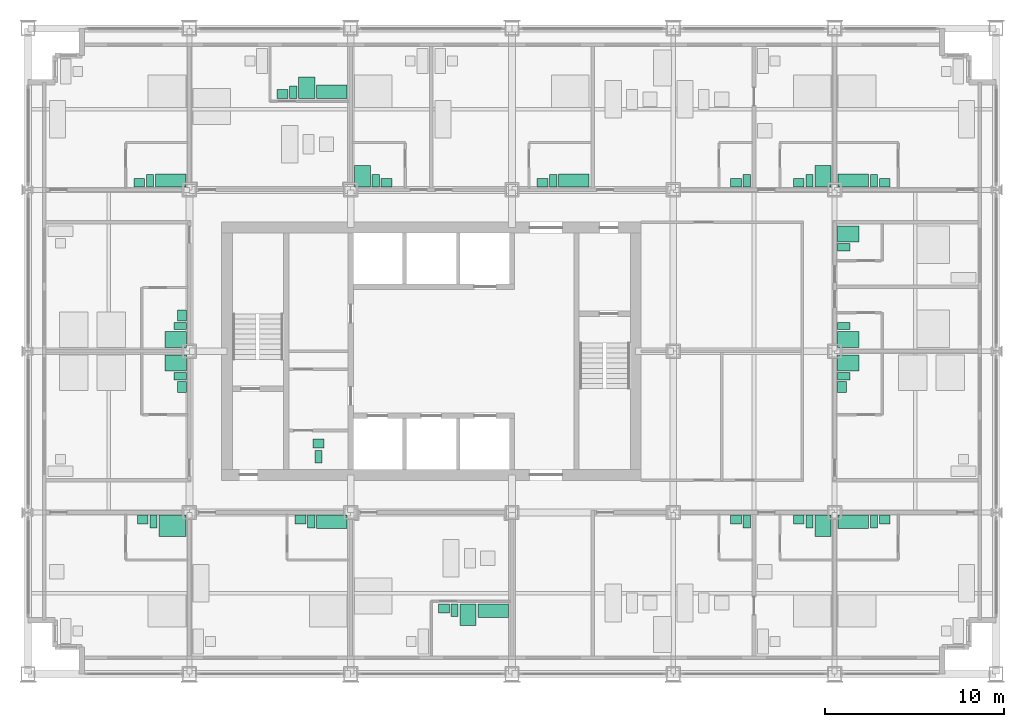
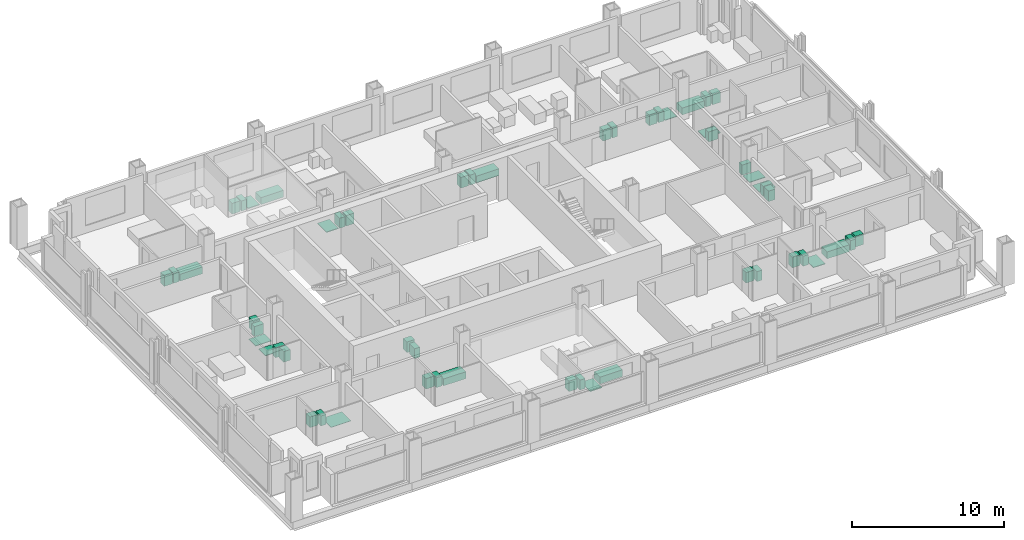
# One storey, part 17 of 18: 54 sanitary terminals.
"""IFC4 building model written with IfcOpenShell, lengths in metres."""

from ifc_helpers import new_model, si_unit, direction, frame, origin, origin_2d, place, context, subcontext, project, spatial, rectangle, extrude, element, save


model = new_model("IFC4")

# Units and contexts
model_context = context("Model", 3, precision=1e-05, world=origin(), true_north=direction((0.0, 1.0)))
body_context = subcontext(model_context, "Body", "Model", "MODEL_VIEW")
ifc_project = project(units=[si_unit("LENGTHUNIT", "METRE"), si_unit("AREAUNIT", "SQUARE_METRE"), si_unit("VOLUMEUNIT", "CUBIC_METRE"), si_unit("PLANEANGLEUNIT", "RADIAN"), si_unit("MASSUNIT", "GRAM", prefix="KILO")], contexts=[model_context])

# Site, building, storey
site_placement = place(None, origin())
site = spatial("IfcSite", under=ifc_project, at=site_placement, CompositionType="ELEMENT")
building_placement = place(site_placement, origin())
building = spatial("IfcBuilding", under=site, at=building_placement, Name="Loomwork Tower", CompositionType="ELEMENT")
storey_placement = place(building_placement, frame((0.0, 0.0, 75.60009765625)))
storey = spatial("IfcBuildingStorey", under=building, at=storey_placement, Name="L19", CompositionType="ELEMENT", Elevation=75.60009765625)

# Sanitary terminals
sanitary_terminal_1_placement = place(storey_placement, frame((8.050048828125, 8.25, 0.0), z_axis=(0.0, 0.0, 1.0), x_axis=(1.0, 0.0, 0.0)))
element("IfcSanitaryTerminal", 1, at=sanitary_terminal_1_placement, inside=storey, Name="Roll-in shower floor L19", PredefinedType="SHOWER", context=body_context, shape_type="SweptSolid", body=[
    extrude(rectangle(XDim=1.5, YDim=1.199951171875, at=origin_2d()), origin(), (0.0, 0.0, 1.0), 0.030029296875),
])
sanitary_terminal_2_placement = place(storey_placement, frame((7.0, 8.5, 0.0), z_axis=(0.0, 0.0, 1.0), x_axis=(1.0, 0.0, 0.0)))
element("IfcSanitaryTerminal", 2, at=sanitary_terminal_2_placement, inside=storey, Name="WC L19", PredefinedType="TOILETPAN", context=body_context, shape_type="SweptSolid", body=[
    extrude(rectangle(XDim=0.39990234375, YDim=0.699951171875, at=origin_2d()), origin(), (0.0, 0.0, 1.0), 0.800048828125),
])
sanitary_terminal_3_placement = place(storey_placement, frame((6.39990234375, 8.60009765625, -0.000244140625), z_axis=(0.0, 0.0, 1.0), x_axis=(1.0, 0.0, 0.0)))
element("IfcSanitaryTerminal", 3, at=sanitary_terminal_3_placement, inside=storey, Name="Basin vanity L19", PredefinedType="WASHHANDBASIN", context=body_context, shape_type="SweptSolid", body=[
    extrude(rectangle(XDim=0.60009765625, YDim=0.5, at=origin_2d()), origin(), (0.0, 0.0, 1.0), 0.85009765625),
])
sanitary_terminal_4_placement = place(storey_placement, frame((16.949951171875, 8.47509765625, 0.0), z_axis=(0.0, 0.0, 1.0), x_axis=(1.0, 0.0, 0.0)))
element("IfcSanitaryTerminal", 4, at=sanitary_terminal_4_placement, inside=storey, Name="Bath L19", PredefinedType="BATH", context=body_context, shape_type="SweptSolid", body=[
    extrude(rectangle(XDim=1.699951171875, YDim=0.75, at=origin_2d()), origin(), (0.0, 0.0, 1.0), 0.550048828125),
])
sanitary_terminal_5_placement = place(storey_placement, frame((15.800048828125, 8.5, 0.0), z_axis=(0.0, 0.0, 1.0), x_axis=(1.0, 0.0, 0.0)))
element("IfcSanitaryTerminal", 5, at=sanitary_terminal_5_placement, inside=storey, Name="WC L19", PredefinedType="TOILETPAN", context=body_context, shape_type="SweptSolid", body=[
    extrude(rectangle(XDim=0.39990234375, YDim=0.699951171875, at=origin_2d()), origin(), (0.0, 0.0, 1.0), 0.800048828125),
])
sanitary_terminal_6_placement = place(storey_placement, frame((15.199951171875, 8.60009765625, -0.000244140625), z_axis=(0.0, 0.0, 1.0), x_axis=(1.0, 0.0, 0.0)))
element("IfcSanitaryTerminal", 6, at=sanitary_terminal_6_placement, inside=storey, Name="Basin vanity L19", PredefinedType="WASHHANDBASIN", context=body_context, shape_type="SweptSolid", body=[
    extrude(rectangle(XDim=0.60009765625, YDim=0.5, at=origin_2d()), origin(), (0.0, 0.0, 1.0), 0.85009765625),
])
sanitary_terminal_7_placement = place(storey_placement, frame((25.949951171875, 3.52490234375, 0.0), z_axis=(0.0, 0.0, 1.0), x_axis=(1.0, 0.0, 0.0)))
element("IfcSanitaryTerminal", 7, at=sanitary_terminal_7_placement, inside=storey, Name="Bath L19", PredefinedType="BATH", context=body_context, shape_type="SweptSolid", body=[
    extrude(rectangle(XDim=1.699951171875, YDim=0.75, at=origin_2d()), origin(), (0.0, 0.0, 1.0), 0.550048828125),
])
sanitary_terminal_8_placement = place(storey_placement, frame((24.550048828125, 3.300048828125, 0.0), z_axis=(0.0, 0.0, 1.0), x_axis=(1.0, 0.0, 0.0)))
element("IfcSanitaryTerminal", 8, at=sanitary_terminal_8_placement, inside=storey, Name="Shower tray L19", PredefinedType="SHOWER", context=body_context, shape_type="SweptSolid", body=[
    extrude(rectangle(XDim=0.89990234375, YDim=1.199951171875, at=origin_2d()), origin(), (0.0, 0.0, 1.0), 0.050048828125),
])
sanitary_terminal_9_placement = place(storey_placement, frame((23.800048828125, 3.550048828125, 0.0), z_axis=(0.0, 0.0, 1.0), x_axis=(1.0, 0.0, 0.0)))
element("IfcSanitaryTerminal", 9, at=sanitary_terminal_9_placement, inside=storey, Name="WC L19", PredefinedType="TOILETPAN", context=body_context, shape_type="SweptSolid", body=[
    extrude(rectangle(XDim=0.39990234375, YDim=0.699951171875, at=origin_2d()), origin(), (0.0, 0.0, 1.0), 0.800048828125),
])
sanitary_terminal_10_placement = place(storey_placement, frame((23.199951171875, 3.64990234375, -0.000244140625), z_axis=(0.0, 0.0, 1.0), x_axis=(1.0, 0.0, 0.0)))
element("IfcSanitaryTerminal", 10, at=sanitary_terminal_10_placement, inside=storey, Name="Basin vanity L19", PredefinedType="WASHHANDBASIN", context=body_context, shape_type="SweptSolid", body=[
    extrude(rectangle(XDim=0.60009765625, YDim=0.5, at=origin_2d()), origin(), (0.0, 0.0, 1.0), 0.85009765625),
])
sanitary_terminal_11_placement = place(storey_placement, frame((40.10009765625, 8.5, 0.0), z_axis=(0.0, 0.0, 1.0), x_axis=(1.0, 0.0, 0.0)))
element("IfcSanitaryTerminal", 11, at=sanitary_terminal_11_placement, inside=storey, Name="WC L19", PredefinedType="TOILETPAN", context=body_context, shape_type="SweptSolid", body=[
    extrude(rectangle(XDim=0.39990234375, YDim=0.699951171875, at=origin_2d()), origin(), (0.0, 0.0, 1.0), 0.800048828125),
])
sanitary_terminal_12_placement = place(storey_placement, frame((39.5, 8.60009765625, -0.000244140625), z_axis=(0.0, 0.0, 1.0), x_axis=(1.0, 0.0, 0.0)))
element("IfcSanitaryTerminal", 12, at=sanitary_terminal_12_placement, inside=storey, Name="Basin vanity L19", PredefinedType="WASHHANDBASIN", context=body_context, shape_type="SweptSolid", body=[
    extrude(rectangle(XDim=0.60009765625, YDim=0.5, at=origin_2d()), origin(), (0.0, 0.0, 1.0), 0.85009765625),
])
sanitary_terminal_13_placement = place(storey_placement, frame((44.35009765625, 8.25, 0.0), z_axis=(0.0, 0.0, 1.0), x_axis=(1.0, 0.0, 0.0)))
element("IfcSanitaryTerminal", 13, at=sanitary_terminal_13_placement, inside=storey, Name="Shower tray L19", PredefinedType="SHOWER", context=body_context, shape_type="SweptSolid", body=[
    extrude(rectangle(XDim=0.89990234375, YDim=1.199951171875, at=origin_2d()), origin(), (0.0, 0.0, 1.0), 0.050048828125),
])
sanitary_terminal_14_placement = place(storey_placement, frame((43.60009765625, 8.5, 0.0), z_axis=(0.0, 0.0, 1.0), x_axis=(1.0, 0.0, 0.0)))
element("IfcSanitaryTerminal", 14, at=sanitary_terminal_14_placement, inside=storey, Name="WC L19", PredefinedType="TOILETPAN", context=body_context, shape_type="SweptSolid", body=[
    extrude(rectangle(XDim=0.39990234375, YDim=0.699951171875, at=origin_2d()), origin(), (0.0, 0.0, 1.0), 0.800048828125),
])
sanitary_terminal_15_placement = place(storey_placement, frame((43.0, 8.60009765625, -0.000244140625), z_axis=(0.0, 0.0, 1.0), x_axis=(1.0, 0.0, 0.0)))
element("IfcSanitaryTerminal", 15, at=sanitary_terminal_15_placement, inside=storey, Name="Basin vanity L19", PredefinedType="WASHHANDBASIN", context=body_context, shape_type="SweptSolid", body=[
    extrude(rectangle(XDim=0.60009765625, YDim=0.5, at=origin_2d()), origin(), (0.0, 0.0, 1.0), 0.85009765625),
])
sanitary_terminal_16_placement = place(storey_placement, frame((46.050048828125, 8.47509765625, 0.0), z_axis=(0.0, 0.0, 1.0), x_axis=(1.0, 0.0, 0.0)))
element("IfcSanitaryTerminal", 16, at=sanitary_terminal_16_placement, inside=storey, Name="Bath L19", PredefinedType="BATH", context=body_context, shape_type="SweptSolid", body=[
    extrude(rectangle(XDim=1.699951171875, YDim=0.75, at=origin_2d()), origin(), (0.0, 0.0, 1.0), 0.550048828125),
])
sanitary_terminal_17_placement = place(storey_placement, frame((47.199951171875, 8.5, 0.0), z_axis=(0.0, 0.0, 1.0), x_axis=(1.0, 0.0, 0.0)))
element("IfcSanitaryTerminal", 17, at=sanitary_terminal_17_placement, inside=storey, Name="WC L19", PredefinedType="TOILETPAN", context=body_context, shape_type="SweptSolid", body=[
    extrude(rectangle(XDim=0.39990234375, YDim=0.699951171875, at=origin_2d()), origin(), (0.0, 0.0, 1.0), 0.800048828125),
])
sanitary_terminal_18_placement = place(storey_placement, frame((47.800048828125, 8.60009765625, -0.000244140625), z_axis=(0.0, 0.0, 1.0), x_axis=(1.0, 0.0, 0.0)))
element("IfcSanitaryTerminal", 18, at=sanitary_terminal_18_placement, inside=storey, Name="Basin vanity L19", PredefinedType="WASHHANDBASIN", context=body_context, shape_type="SweptSolid", body=[
    extrude(rectangle(XDim=0.60009765625, YDim=0.5, at=origin_2d()), origin(), (0.0, 0.0, 1.0), 0.85009765625),
])
sanitary_terminal_19_placement = place(storey_placement, frame((7.949951171875, 27.52490234375, 0.0), z_axis=(0.0, 0.0, 1.0), x_axis=(1.0, 0.0, 0.0)))
element("IfcSanitaryTerminal", 19, at=sanitary_terminal_19_placement, inside=storey, Name="Bath L19", PredefinedType="BATH", context=body_context, shape_type="SweptSolid", body=[
    extrude(rectangle(XDim=1.699951171875, YDim=0.75, at=origin_2d()), origin(), (0.0, 0.0, 1.0), 0.550048828125),
])
sanitary_terminal_20_placement = place(storey_placement, frame((6.800048828125, 27.5, 0.0), z_axis=(0.0, 0.0, 1.0), x_axis=(1.0, 0.0, 0.0)))
element("IfcSanitaryTerminal", 20, at=sanitary_terminal_20_placement, inside=storey, Name="WC L19", PredefinedType="TOILETPAN", context=body_context, shape_type="SweptSolid", body=[
    extrude(rectangle(XDim=0.39990234375, YDim=0.699951171875, at=origin_2d()), origin(), (0.0, 0.0, 1.0), 0.800048828125),
])
sanitary_terminal_21_placement = place(storey_placement, frame((6.199951171875, 27.39990234375, -0.000244140625), z_axis=(0.0, 0.0, 1.0), x_axis=(1.0, 0.0, 0.0)))
element("IfcSanitaryTerminal", 21, at=sanitary_terminal_21_placement, inside=storey, Name="Basin vanity L19", PredefinedType="WASHHANDBASIN", context=body_context, shape_type="SweptSolid", body=[
    extrude(rectangle(XDim=0.60009765625, YDim=0.5, at=origin_2d()), origin(), (0.0, 0.0, 1.0), 0.85009765625),
])
sanitary_terminal_22_placement = place(storey_placement, frame((16.949951171875, 32.47509765625, 0.0), z_axis=(0.0, 0.0, 1.0), x_axis=(1.0, 0.0, 0.0)))
element("IfcSanitaryTerminal", 22, at=sanitary_terminal_22_placement, inside=storey, Name="Bath L19", PredefinedType="BATH", context=body_context, shape_type="SweptSolid", body=[
    extrude(rectangle(XDim=1.699951171875, YDim=0.75, at=origin_2d()), origin(), (0.0, 0.0, 1.0), 0.550048828125),
])
sanitary_terminal_23_placement = place(storey_placement, frame((15.550048828125, 32.699951171875, 0.0), z_axis=(0.0, 0.0, 1.0), x_axis=(1.0, 0.0, 0.0)))
element("IfcSanitaryTerminal", 23, at=sanitary_terminal_23_placement, inside=storey, Name="Shower tray L19", PredefinedType="SHOWER", context=body_context, shape_type="SweptSolid", body=[
    extrude(rectangle(XDim=0.89990234375, YDim=1.199951171875, at=origin_2d()), origin(), (0.0, 0.0, 1.0), 0.050048828125),
])
sanitary_terminal_24_placement = place(storey_placement, frame((14.800048828125, 32.449951171875, 0.0), z_axis=(0.0, 0.0, 1.0), x_axis=(1.0, 0.0, 0.0)))
element("IfcSanitaryTerminal", 24, at=sanitary_terminal_24_placement, inside=storey, Name="WC L19", PredefinedType="TOILETPAN", context=body_context, shape_type="SweptSolid", body=[
    extrude(rectangle(XDim=0.39990234375, YDim=0.699951171875, at=origin_2d()), origin(), (0.0, 0.0, 1.0), 0.800048828125),
])
sanitary_terminal_25_placement = place(storey_placement, frame((14.199951171875, 32.35009765625, -0.000244140625), z_axis=(0.0, 0.0, 1.0), x_axis=(1.0, 0.0, 0.0)))
element("IfcSanitaryTerminal", 25, at=sanitary_terminal_25_placement, inside=storey, Name="Basin vanity L19", PredefinedType="WASHHANDBASIN", context=body_context, shape_type="SweptSolid", body=[
    extrude(rectangle(XDim=0.60009765625, YDim=0.5, at=origin_2d()), origin(), (0.0, 0.0, 1.0), 0.85009765625),
])
sanitary_terminal_26_placement = place(storey_placement, frame((18.64990234375, 27.75, 0.0), z_axis=(0.0, 0.0, 1.0), x_axis=(1.0, 0.0, 0.0)))
element("IfcSanitaryTerminal", 26, at=sanitary_terminal_26_placement, inside=storey, Name="Shower tray L19", PredefinedType="SHOWER", context=body_context, shape_type="SweptSolid", body=[
    extrude(rectangle(XDim=0.89990234375, YDim=1.199951171875, at=origin_2d()), origin(), (0.0, 0.0, 1.0), 0.050048828125),
])
sanitary_terminal_27_placement = place(storey_placement, frame((19.39990234375, 27.5, 0.0), z_axis=(0.0, 0.0, 1.0), x_axis=(1.0, 0.0, 0.0)))
element("IfcSanitaryTerminal", 27, at=sanitary_terminal_27_placement, inside=storey, Name="WC L19", PredefinedType="TOILETPAN", context=body_context, shape_type="SweptSolid", body=[
    extrude(rectangle(XDim=0.39990234375, YDim=0.699951171875, at=origin_2d()), origin(), (0.0, 0.0, 1.0), 0.800048828125),
])
sanitary_terminal_28_placement = place(storey_placement, frame((20.0, 27.39990234375, -0.000244140625), z_axis=(0.0, 0.0, 1.0), x_axis=(1.0, 0.0, 0.0)))
element("IfcSanitaryTerminal", 28, at=sanitary_terminal_28_placement, inside=storey, Name="Basin vanity L19", PredefinedType="WASHHANDBASIN", context=body_context, shape_type="SweptSolid", body=[
    extrude(rectangle(XDim=0.60009765625, YDim=0.5, at=origin_2d()), origin(), (0.0, 0.0, 1.0), 0.85009765625),
])
sanitary_terminal_29_placement = place(storey_placement, frame((30.449951171875, 27.52490234375, 0.0), z_axis=(0.0, 0.0, 1.0), x_axis=(1.0, 0.0, 0.0)))
element("IfcSanitaryTerminal", 29, at=sanitary_terminal_29_placement, inside=storey, Name="Bath L19", PredefinedType="BATH", context=body_context, shape_type="SweptSolid", body=[
    extrude(rectangle(XDim=1.699951171875, YDim=0.75, at=origin_2d()), origin(), (0.0, 0.0, 1.0), 0.550048828125),
])
sanitary_terminal_30_placement = place(storey_placement, frame((29.300048828125, 27.5, 0.0), z_axis=(0.0, 0.0, 1.0), x_axis=(1.0, 0.0, 0.0)))
element("IfcSanitaryTerminal", 30, at=sanitary_terminal_30_placement, inside=storey, Name="WC L19", PredefinedType="TOILETPAN", context=body_context, shape_type="SweptSolid", body=[
    extrude(rectangle(XDim=0.39990234375, YDim=0.699951171875, at=origin_2d()), origin(), (0.0, 0.0, 1.0), 0.800048828125),
])
sanitary_terminal_31_placement = place(storey_placement, frame((28.699951171875, 27.39990234375, -0.000244140625), z_axis=(0.0, 0.0, 1.0), x_axis=(1.0, 0.0, 0.0)))
element("IfcSanitaryTerminal", 31, at=sanitary_terminal_31_placement, inside=storey, Name="Basin vanity L19", PredefinedType="WASHHANDBASIN", context=body_context, shape_type="SweptSolid", body=[
    extrude(rectangle(XDim=0.60009765625, YDim=0.5, at=origin_2d()), origin(), (0.0, 0.0, 1.0), 0.85009765625),
])
sanitary_terminal_32_placement = place(storey_placement, frame((40.10009765625, 27.5, 0.0), z_axis=(0.0, 0.0, 1.0), x_axis=(1.0, 0.0, 0.0)))
element("IfcSanitaryTerminal", 32, at=sanitary_terminal_32_placement, inside=storey, Name="WC L19", PredefinedType="TOILETPAN", context=body_context, shape_type="SweptSolid", body=[
    extrude(rectangle(XDim=0.39990234375, YDim=0.699951171875, at=origin_2d()), origin(), (0.0, 0.0, 1.0), 0.800048828125),
])
sanitary_terminal_33_placement = place(storey_placement, frame((39.5, 27.39990234375, -0.000244140625), z_axis=(0.0, 0.0, 1.0), x_axis=(1.0, 0.0, 0.0)))
element("IfcSanitaryTerminal", 33, at=sanitary_terminal_33_placement, inside=storey, Name="Basin vanity L19", PredefinedType="WASHHANDBASIN", context=body_context, shape_type="SweptSolid", body=[
    extrude(rectangle(XDim=0.60009765625, YDim=0.5, at=origin_2d()), origin(), (0.0, 0.0, 1.0), 0.85009765625),
])
sanitary_terminal_34_placement = place(storey_placement, frame((44.35009765625, 27.75, 0.0), z_axis=(0.0, 0.0, 1.0), x_axis=(1.0, 0.0, 0.0)))
element("IfcSanitaryTerminal", 34, at=sanitary_terminal_34_placement, inside=storey, Name="Shower tray L19", PredefinedType="SHOWER", context=body_context, shape_type="SweptSolid", body=[
    extrude(rectangle(XDim=0.89990234375, YDim=1.199951171875, at=origin_2d()), origin(), (0.0, 0.0, 1.0), 0.050048828125),
])
sanitary_terminal_35_placement = place(storey_placement, frame((43.60009765625, 27.5, 0.0), z_axis=(0.0, 0.0, 1.0), x_axis=(1.0, 0.0, 0.0)))
element("IfcSanitaryTerminal", 35, at=sanitary_terminal_35_placement, inside=storey, Name="WC L19", PredefinedType="TOILETPAN", context=body_context, shape_type="SweptSolid", body=[
    extrude(rectangle(XDim=0.39990234375, YDim=0.699951171875, at=origin_2d()), origin(), (0.0, 0.0, 1.0), 0.800048828125),
])
sanitary_terminal_36_placement = place(storey_placement, frame((43.0, 27.39990234375, -0.000244140625), z_axis=(0.0, 0.0, 1.0), x_axis=(1.0, 0.0, 0.0)))
element("IfcSanitaryTerminal", 36, at=sanitary_terminal_36_placement, inside=storey, Name="Basin vanity L19", PredefinedType="WASHHANDBASIN", context=body_context, shape_type="SweptSolid", body=[
    extrude(rectangle(XDim=0.60009765625, YDim=0.5, at=origin_2d()), origin(), (0.0, 0.0, 1.0), 0.85009765625),
])
sanitary_terminal_37_placement = place(storey_placement, frame((46.050048828125, 27.52490234375, 0.0), z_axis=(0.0, 0.0, 1.0), x_axis=(1.0, 0.0, 0.0)))
element("IfcSanitaryTerminal", 37, at=sanitary_terminal_37_placement, inside=storey, Name="Bath L19", PredefinedType="BATH", context=body_context, shape_type="SweptSolid", body=[
    extrude(rectangle(XDim=1.699951171875, YDim=0.75, at=origin_2d()), origin(), (0.0, 0.0, 1.0), 0.550048828125),
])
sanitary_terminal_38_placement = place(storey_placement, frame((47.199951171875, 27.5, 0.0), z_axis=(0.0, 0.0, 1.0), x_axis=(1.0, 0.0, 0.0)))
element("IfcSanitaryTerminal", 38, at=sanitary_terminal_38_placement, inside=storey, Name="WC L19", PredefinedType="TOILETPAN", context=body_context, shape_type="SweptSolid", body=[
    extrude(rectangle(XDim=0.39990234375, YDim=0.699951171875, at=origin_2d()), origin(), (0.0, 0.0, 1.0), 0.800048828125),
])
sanitary_terminal_39_placement = place(storey_placement, frame((47.800048828125, 27.39990234375, -0.000244140625), z_axis=(0.0, 0.0, 1.0), x_axis=(1.0, 0.0, 0.0)))
element("IfcSanitaryTerminal", 39, at=sanitary_terminal_39_placement, inside=storey, Name="Basin vanity L19", PredefinedType="WASHHANDBASIN", context=body_context, shape_type="SweptSolid", body=[
    extrude(rectangle(XDim=0.60009765625, YDim=0.5, at=origin_2d()), origin(), (0.0, 0.0, 1.0), 0.85009765625),
])
sanitary_terminal_40_placement = place(storey_placement, frame((8.25, 17.35009765625, 0.0), z_axis=(0.0, 0.0, 1.0), x_axis=(1.0, 0.0, 0.0)))
element("IfcSanitaryTerminal", 40, at=sanitary_terminal_40_placement, inside=storey, Name="Shower tray L19", PredefinedType="SHOWER", context=body_context, shape_type="SweptSolid", body=[
    extrude(rectangle(XDim=1.199951171875, YDim=0.89990234375, at=origin_2d()), origin(), (0.0, 0.0, 1.0), 0.050048828125),
])
sanitary_terminal_41_placement = place(storey_placement, frame((8.5, 16.60009765625, 0.0), z_axis=(0.0, 0.0, 1.0), x_axis=(1.0, 0.0, 0.0)))
element("IfcSanitaryTerminal", 41, at=sanitary_terminal_41_placement, inside=storey, Name="WC L19", PredefinedType="TOILETPAN", context=body_context, shape_type="SweptSolid", body=[
    extrude(rectangle(XDim=0.699951171875, YDim=0.39990234375, at=origin_2d()), origin(), (0.0, 0.0, 1.0), 0.800048828125),
])
sanitary_terminal_42_placement = place(storey_placement, frame((8.60009765625, 16.0, -0.000244140625), z_axis=(0.0, 0.0, 1.0), x_axis=(1.0, 0.0, 0.0)))
element("IfcSanitaryTerminal", 42, at=sanitary_terminal_42_placement, inside=storey, Name="Basin vanity L19", PredefinedType="WASHHANDBASIN", context=body_context, shape_type="SweptSolid", body=[
    extrude(rectangle(XDim=0.5, YDim=0.60009765625, at=origin_2d()), origin(), (0.0, 0.0, 1.0), 0.85009765625),
])
sanitary_terminal_43_placement = place(storey_placement, frame((8.25, 18.64990234375, 0.0), z_axis=(0.0, 0.0, 1.0), x_axis=(1.0, 0.0, 0.0)))
element("IfcSanitaryTerminal", 43, at=sanitary_terminal_43_placement, inside=storey, Name="Shower tray L19", PredefinedType="SHOWER", context=body_context, shape_type="SweptSolid", body=[
    extrude(rectangle(XDim=1.199951171875, YDim=0.89990234375, at=origin_2d()), origin(), (0.0, 0.0, 1.0), 0.050048828125),
])
sanitary_terminal_44_placement = place(storey_placement, frame((8.5, 19.39990234375, 0.0), z_axis=(0.0, 0.0, 1.0), x_axis=(1.0, 0.0, 0.0)))
element("IfcSanitaryTerminal", 44, at=sanitary_terminal_44_placement, inside=storey, Name="WC L19", PredefinedType="TOILETPAN", context=body_context, shape_type="SweptSolid", body=[
    extrude(rectangle(XDim=0.699951171875, YDim=0.39990234375, at=origin_2d()), origin(), (0.0, 0.0, 1.0), 0.800048828125),
])
sanitary_terminal_45_placement = place(storey_placement, frame((8.60009765625, 20.0, -0.000244140625), z_axis=(0.0, 0.0, 1.0), x_axis=(1.0, 0.0, 0.0)))
element("IfcSanitaryTerminal", 45, at=sanitary_terminal_45_placement, inside=storey, Name="Basin vanity L19", PredefinedType="WASHHANDBASIN", context=body_context, shape_type="SweptSolid", body=[
    extrude(rectangle(XDim=0.5, YDim=0.60009765625, at=origin_2d()), origin(), (0.0, 0.0, 1.0), 0.85009765625),
])
sanitary_terminal_46_placement = place(storey_placement, frame((45.75, 17.35009765625, 0.0), z_axis=(0.0, 0.0, 1.0), x_axis=(1.0, 0.0, 0.0)))
element("IfcSanitaryTerminal", 46, at=sanitary_terminal_46_placement, inside=storey, Name="Shower tray L19", PredefinedType="SHOWER", context=body_context, shape_type="SweptSolid", body=[
    extrude(rectangle(XDim=1.199951171875, YDim=0.89990234375, at=origin_2d()), origin(), (0.0, 0.0, 1.0), 0.050048828125),
])
sanitary_terminal_47_placement = place(storey_placement, frame((45.5, 16.60009765625, 0.0), z_axis=(0.0, 0.0, 1.0), x_axis=(1.0, 0.0, 0.0)))
element("IfcSanitaryTerminal", 47, at=sanitary_terminal_47_placement, inside=storey, Name="WC L19", PredefinedType="TOILETPAN", context=body_context, shape_type="SweptSolid", body=[
    extrude(rectangle(XDim=0.699951171875, YDim=0.39990234375, at=origin_2d()), origin(), (0.0, 0.0, 1.0), 0.800048828125),
])
sanitary_terminal_48_placement = place(storey_placement, frame((45.39990234375, 16.0, -0.000244140625), z_axis=(0.0, 0.0, 1.0), x_axis=(1.0, 0.0, 0.0)))
element("IfcSanitaryTerminal", 48, at=sanitary_terminal_48_placement, inside=storey, Name="Basin vanity L19", PredefinedType="WASHHANDBASIN", context=body_context, shape_type="SweptSolid", body=[
    extrude(rectangle(XDim=0.5, YDim=0.60009765625, at=origin_2d()), origin(), (0.0, 0.0, 1.0), 0.85009765625),
])
sanitary_terminal_49_placement = place(storey_placement, frame((45.75, 18.64990234375, 0.0), z_axis=(0.0, 0.0, 1.0), x_axis=(1.0, 0.0, 0.0)))
element("IfcSanitaryTerminal", 49, at=sanitary_terminal_49_placement, inside=storey, Name="Shower tray L19", PredefinedType="SHOWER", context=body_context, shape_type="SweptSolid", body=[
    extrude(rectangle(XDim=1.199951171875, YDim=0.89990234375, at=origin_2d()), origin(), (0.0, 0.0, 1.0), 0.050048828125),
])
sanitary_terminal_50_placement = place(storey_placement, frame((45.5, 19.39990234375, 0.0), z_axis=(0.0, 0.0, 1.0), x_axis=(1.0, 0.0, 0.0)))
element("IfcSanitaryTerminal", 50, at=sanitary_terminal_50_placement, inside=storey, Name="WC L19", PredefinedType="TOILETPAN", context=body_context, shape_type="SweptSolid", body=[
    extrude(rectangle(XDim=0.699951171875, YDim=0.39990234375, at=origin_2d()), origin(), (0.0, 0.0, 1.0), 0.800048828125),
])
sanitary_terminal_51_placement = place(storey_placement, frame((45.75, 24.550048828125, 0.0), z_axis=(0.0, 0.0, 1.0), x_axis=(1.0, 0.0, 0.0)))
element("IfcSanitaryTerminal", 51, at=sanitary_terminal_51_placement, inside=storey, Name="Shower tray L19", PredefinedType="SHOWER", context=body_context, shape_type="SweptSolid", body=[
    extrude(rectangle(XDim=1.199951171875, YDim=0.89990234375, at=origin_2d()), origin(), (0.0, 0.0, 1.0), 0.050048828125),
])
sanitary_terminal_52_placement = place(storey_placement, frame((45.5, 23.800048828125, 0.0), z_axis=(0.0, 0.0, 1.0), x_axis=(1.0, 0.0, 0.0)))
element("IfcSanitaryTerminal", 52, at=sanitary_terminal_52_placement, inside=storey, Name="WC L19", PredefinedType="TOILETPAN", context=body_context, shape_type="SweptSolid", body=[
    extrude(rectangle(XDim=0.699951171875, YDim=0.39990234375, at=origin_2d()), origin(), (0.0, 0.0, 1.0), 0.800048828125),
])
sanitary_terminal_53_placement = place(storey_placement, frame((16.199951171875, 12.10009765625, 0.0), z_axis=(0.0, 0.0, 1.0), x_axis=(1.0, 0.0, 0.0)))
element("IfcSanitaryTerminal", 53, at=sanitary_terminal_53_placement, inside=storey, Name="WC L19", PredefinedType="TOILETPAN", context=body_context, shape_type="SweptSolid", body=[
    extrude(rectangle(XDim=0.39990234375, YDim=0.699951171875, at=origin_2d()), origin(), (0.0, 0.0, 1.0), 0.800048828125),
])
sanitary_terminal_54_placement = place(storey_placement, frame((16.199951171875, 12.85009765625, -0.000244140625), z_axis=(0.0, 0.0, 1.0), x_axis=(1.0, 0.0, 0.0)))
element("IfcSanitaryTerminal", 54, at=sanitary_terminal_54_placement, inside=storey, Name="Basin L19", PredefinedType="WASHHANDBASIN", context=body_context, shape_type="SweptSolid", body=[
    extrude(rectangle(XDim=0.60009765625, YDim=0.5, at=origin_2d()), origin(), (0.0, 0.0, 1.0), 0.85009765625),
])

save(model, "model.ifc")
